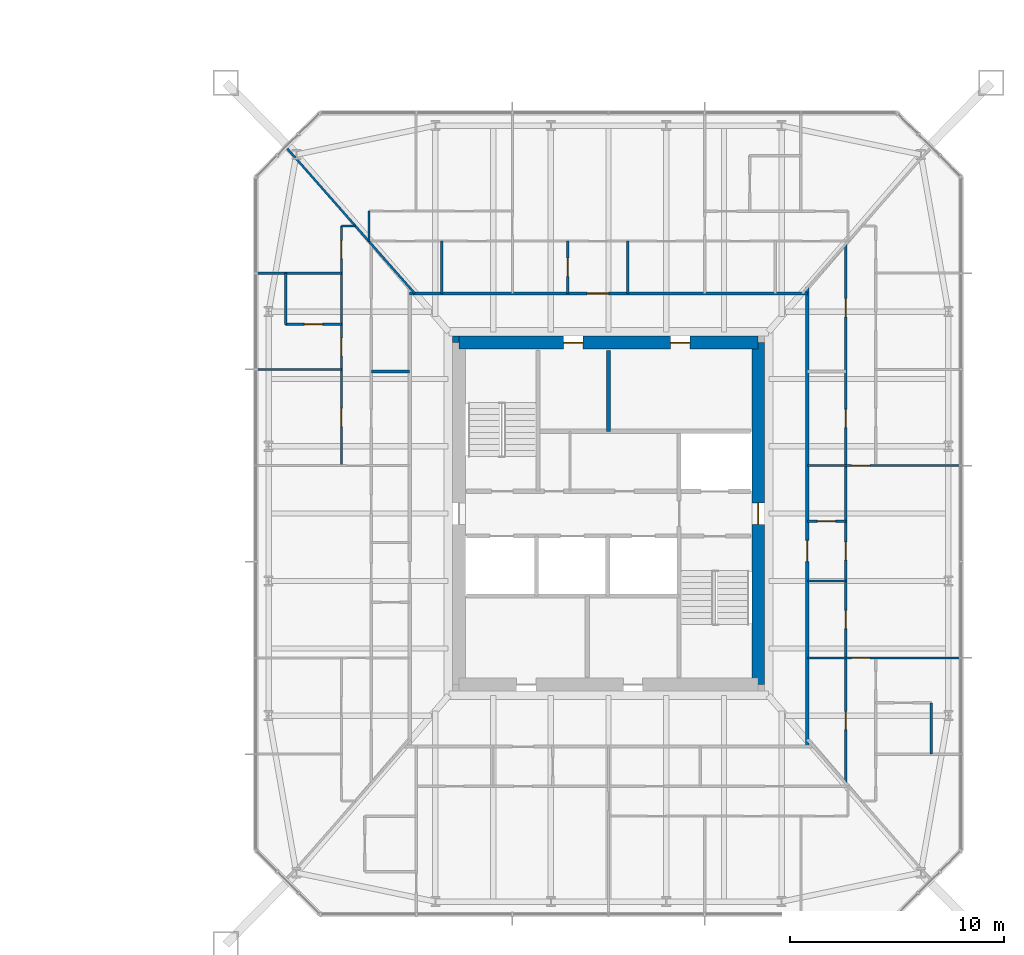
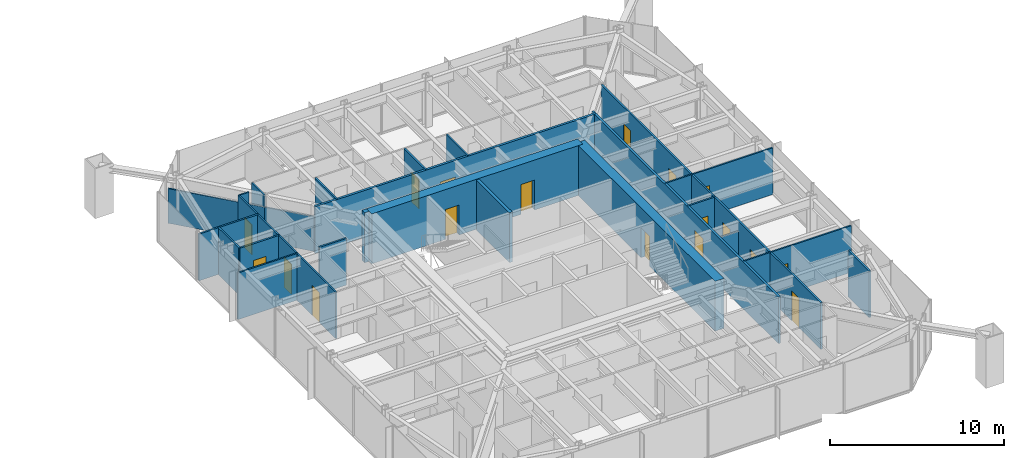
# One storey, part 20 of 26: 25 walls, 18 doors, 18 openings.
"""IFC4 building model written with IfcOpenShell, lengths in metres."""

from ifc_helpers import new_model, si_unit, direction, frame, frame_2d, origin, place, context, subcontext, project, spatial, rectangle, extrude, material, layer, layer_set, type_object, element, fill, save


model = new_model("IFC4")

# Units and contexts
model_context = context("Model", 3, precision=1e-05, world=origin(), true_north=direction((0.0, 1.0)))
body_context = subcontext(model_context, "Body", "Model", "MODEL_VIEW")
ifc_project = project(units=[si_unit("LENGTHUNIT", "METRE"), si_unit("AREAUNIT", "SQUARE_METRE"), si_unit("VOLUMEUNIT", "CUBIC_METRE"), si_unit("PLANEANGLEUNIT", "RADIAN"), si_unit("MASSUNIT", "GRAM", prefix="KILO")], contexts=[model_context])

# Site, building, storey
site_placement = place(None, origin())
site = spatial("IfcSite", under=ifc_project, at=site_placement, CompositionType="ELEMENT")
building_placement = place(site_placement, origin())
building = spatial("IfcBuilding", under=site, at=building_placement, Name="Iwan Alto Co-Living Towers", CompositionType="ELEMENT")
storey_placement = place(building_placement, frame((0.0, 0.0, 22.0)))
storey = spatial("IfcBuildingStorey", under=building, at=storey_placement, Name="L05", CompositionType="ELEMENT", Elevation=22.0)

# Wall, opening, door
ifc_material_1 = material(Name="Gypsum board")
ifc_layer_1 = layer(ifc_material_1, 0.02490234375, Name="Board", Category="Finish")
ifc_material_2 = material(Name="Steel ASTM A1003 ST33H cold-formed studs", Category="steel")
ifc_layer_2 = layer(ifc_material_2, 0.10009765625, Name="Studs", Category="Framing")
ifc_layer_3 = layer(ifc_material_1, 0.02490234375, Name="Board", Category="Finish")
ifc_layer_set_1 = layer_set([ifc_layer_1, ifc_layer_2, ifc_layer_3], Name="CORRIDOR WALL 150")
wall_type_1 = type_object("IfcWallType", Name="CORRIDOR WALL 150", PredefinedType="PARTITIONING", material=ifc_layer_set_1)
wall_1_placement = place(storey_placement, frame((53.699951171875, 10.300048828125, 0.0), z_axis=(0.0, 0.0, 1.0), x_axis=(1.0, 0.0, 0.0)))
wall_1 = element("IfcWall", 1, at=wall_1_placement, inside=storey, type_object=wall_type_1, Name="Partition L05", PredefinedType="PARTITIONING", context=body_context, shape_type="SweptSolid", body=[
    extrude(rectangle(XDim=18.60009765625, YDim=0.14990234375, at=frame_2d((9.300048828125, 0.0))), origin(), (0.0, 0.0, 1.0), 3.27001953125),
])
opening_1_placement = place(wall_1_placement, frame((8.300048828125, 0.0, 0.0)))
opening_1 = element("IfcOpeningElement", 2, at=opening_1_placement, cuts=wall_1, Name="Opening D3", PredefinedType="OPENING", context=body_context, shape_type="SweptSolid", body=[
    extrude(rectangle(XDim=1.0, YDim=2.10009765625, at=frame_2d((0.5, 1.050048828125))), frame((0.0, 0.0849609375, 0.0), z_axis=(0.0, -1.0, 0.0), x_axis=(1.0, 0.0, 0.0)), (0.0, 0.0, 1.0), 0.169921875),
])
ifc_material_3 = material(Name="Steel frame with timber leaf", Category="steel")
door_type_1 = type_object("IfcDoorType", Name="FLAT ENTRANCE DOOR FD30S 1000X2100", OperationType="SINGLE_SWING_LEFT", PredefinedType="DOOR", material=ifc_material_3)
door_1_placement = place(opening_1_placement, origin())
door_1 = element("IfcDoor", 3, at=door_1_placement, inside=storey, type_object=door_type_1, Name="Apartment foyer door L05", OperationType="SINGLE_SWING_LEFT", OverallHeight=2.10009765625, OverallWidth=1.0, PredefinedType="DOOR", context=body_context, shape_type="SweptSolid", body=[
    extrude(rectangle(XDim=1.0, YDim=2.10009765625, at=frame_2d((0.5, 1.050048828125))), frame((0.0, 0.02490234375, 0.0), z_axis=(0.0, -1.0, 0.0), x_axis=(1.0, 0.0, 0.0)), (0.0, 0.0, 1.0), 0.050048828125),
])
fill(opening_1, door_1)

wall_2_placement = place(storey_placement, frame((72.300048828125, -10.89990234375, 0.0), z_axis=(0.0, 0.0, 1.0), x_axis=(0.0, 1.0, 0.0)))
wall_2 = element("IfcWall", 4, at=wall_2_placement, inside=storey, type_object=wall_type_1, Name="Partition L05", PredefinedType="PARTITIONING", context=body_context, shape_type="SweptSolid", body=[
    extrude(rectangle(XDim=21.468017578125, YDim=0.14990234375, at=frame_2d((10.73388671875, 0.0))), origin(), (0.0, 0.0, 1.0), 3.27001953125),
])
opening_2_placement = place(wall_2_placement, frame((8.64990234375, 0.0, 0.0)))
opening_2 = element("IfcOpeningElement", 5, at=opening_2_placement, cuts=wall_2, Name="Opening D3", PredefinedType="OPENING", context=body_context, shape_type="SweptSolid", body=[
    extrude(rectangle(XDim=1.0, YDim=2.10009765625, at=frame_2d((0.5, 1.050048828125))), frame((0.0, 0.0849609375, 0.0), z_axis=(0.0, -1.0, 0.0), x_axis=(1.0, 0.0, 0.0)), (0.0, 0.0, 1.0), 0.169921875),
])
door_2_placement = place(opening_2_placement, frame((1.0, 0.0, 0.0), z_axis=(0.0, 0.0, 1.0), x_axis=(-1.0, 0.0, 0.0)))
door_2 = element("IfcDoor", 6, at=door_2_placement, inside=storey, type_object=door_type_1, Name="Apartment foyer door L05", OperationType="SINGLE_SWING_RIGHT", OverallHeight=2.10009765625, OverallWidth=1.0, PredefinedType="DOOR", context=body_context, shape_type="SweptSolid", body=[
    extrude(rectangle(XDim=1.0, YDim=2.10009765625, at=frame_2d((0.5, 1.050048828125))), frame((0.0, 0.02490234375, 0.0), z_axis=(0.0, -1.0, 0.0), x_axis=(1.0, 0.0, 0.0)), (0.0, 0.0, 1.0), 0.050048828125),
])
fill(opening_2, door_2)

ifc_layer_4 = layer(ifc_material_1, 0.012451171875, Name="Board", Category="Finish")
ifc_layer_5 = layer(ifc_material_2, 0.074951171875, Name="Studs", Category="Framing")
ifc_layer_6 = layer(ifc_material_1, 0.012451171875, Name="Board", Category="Finish")
ifc_layer_set_2 = layer_set([ifc_layer_4, ifc_layer_5, ifc_layer_6], Name="PARTITION 100")
wall_type_2 = type_object("IfcWallType", Name="PARTITION 100", PredefinedType="PARTITIONING", material=ifc_layer_set_2)
wall_3_placement = place(storey_placement, frame((72.300048828125, -6.75, 0.0), z_axis=(0.0, 0.0, 1.0), x_axis=(1.0, 0.0, 0.0)))
wall_3 = element("IfcWall", 7, at=wall_3_placement, inside=storey, type_object=wall_type_2, Name="Partition L05", PredefinedType="PARTITIONING", context=body_context, shape_type="SweptSolid", body=[
    extrude(rectangle(XDim=7.139892578125, YDim=0.10009765625, at=frame_2d((3.56982421875, 0.0))), origin(), (0.0, 0.0, 1.0), 3.27001953125),
])
opening_3_placement = place(wall_3_placement, frame((2.074951171875, 0.0, 0.0)))
opening_3 = element("IfcOpeningElement", 8, at=opening_3_placement, cuts=wall_3, Name="Opening D2", PredefinedType="OPENING", context=body_context, shape_type="SweptSolid", body=[
    extrude(rectangle(XDim=0.85009765625, YDim=2.10009765625, at=frame_2d((0.425048828125, 1.050048828125))), frame((0.0, 0.06005859375, 0.0), z_axis=(0.0, -1.0, 0.0), x_axis=(1.0, 0.0, 0.0)), (0.0, 0.0, 1.0), 0.1201171875),
])
ifc_material_4 = material(Name="Timber leaf in steel frame", Category="steel")
door_type_2 = type_object("IfcDoorType", Name="ROOM DOOR 850X2100", OperationType="SINGLE_SWING_LEFT", PredefinedType="DOOR", material=ifc_material_4)
door_3_placement = place(opening_3_placement, origin())
door_3 = element("IfcDoor", 9, at=door_3_placement, inside=storey, type_object=door_type_2, Name="Apartment hall door L05", OperationType="SINGLE_SWING_LEFT", OverallHeight=2.10009765625, OverallWidth=0.85009765625, PredefinedType="DOOR", context=body_context, shape_type="SweptSolid", body=[
    extrude(rectangle(XDim=0.85009765625, YDim=2.10009765625, at=frame_2d((0.425048828125, 1.050048828125))), frame((0.0, 0.02490234375, 0.0), z_axis=(0.0, -1.0, 0.0), x_axis=(1.0, 0.0, 0.0)), (0.0, 0.0, 1.0), 0.050048828125),
])
fill(opening_3, door_3)

# Wall
wall_4_placement = place(storey_placement, frame((72.300048828125, -3.14990234375, 0.0), z_axis=(0.0, 0.0, 1.0), x_axis=(1.0, 0.0, 0.0)))
element("IfcWall", 10, at=wall_4_placement, inside=storey, type_object=wall_type_2, Name="Partition L05", PredefinedType="PARTITIONING", context=body_context, shape_type="SweptSolid", body=[
    extrude(rectangle(XDim=1.800048828125, YDim=0.10009765625, at=frame_2d((0.89990234375, 0.0))), origin(), (0.0, 0.0, 1.0), 2.586669921875),
])

# Wall, opening, door
wall_5_placement = place(storey_placement, frame((72.300048828125, 2.25, 0.0), z_axis=(0.0, 0.0, 1.0), x_axis=(1.0, 0.0, 0.0)))
wall_5 = element("IfcWall", 11, at=wall_5_placement, inside=storey, type_object=wall_type_2, Name="Partition L05", PredefinedType="PARTITIONING", context=body_context, shape_type="SweptSolid", body=[
    extrude(rectangle(XDim=7.139892578125, YDim=0.10009765625, at=frame_2d((3.56982421875, 0.0))), origin(), (0.0, 0.0, 1.0), 3.27001953125),
])
opening_4_placement = place(wall_5_placement, frame((2.074951171875, 0.0, 0.0)))
opening_4 = element("IfcOpeningElement", 12, at=opening_4_placement, cuts=wall_5, Name="Opening D2", PredefinedType="OPENING", context=body_context, shape_type="SweptSolid", body=[
    extrude(rectangle(XDim=0.85009765625, YDim=2.10009765625, at=frame_2d((0.425048828125, 1.050048828125))), frame((0.0, 0.06005859375, 0.0), z_axis=(0.0, -1.0, 0.0), x_axis=(1.0, 0.0, 0.0)), (0.0, 0.0, 1.0), 0.1201171875),
])
door_4_placement = place(opening_4_placement, frame((0.85009765625, 0.0, 0.0), z_axis=(0.0, 0.0, 1.0), x_axis=(-1.0, 0.0, 0.0)))
door_4 = element("IfcDoor", 13, at=door_4_placement, inside=storey, type_object=door_type_2, Name="Apartment hall door L05", OperationType="SINGLE_SWING_RIGHT", OverallHeight=2.10009765625, OverallWidth=0.85009765625, PredefinedType="DOOR", context=body_context, shape_type="SweptSolid", body=[
    extrude(rectangle(XDim=0.85009765625, YDim=2.10009765625, at=frame_2d((0.425048828125, 1.050048828125))), frame((0.0, 0.02490234375, 0.0), z_axis=(0.0, -1.0, 0.0), x_axis=(1.0, 0.0, 0.0)), (0.0, 0.0, 1.0), 0.050048828125),
])
fill(opening_4, door_4)

# Walls
wall_6_placement = place(storey_placement, frame((46.56005859375, 6.75, 0.0), z_axis=(0.0, 0.0, 1.0), x_axis=(1.0, 0.0, 0.0)))
element("IfcWall", 14, at=wall_6_placement, inside=storey, type_object=wall_type_2, Name="Partition L05", PredefinedType="PARTITIONING", context=body_context, shape_type="SweptSolid", body=[
    extrude(rectangle(XDim=3.93994140625, YDim=0.10009765625, at=frame_2d((1.969970703125, 0.0))), origin(), (0.0, 0.0, 1.0), 3.27001953125),
])
wall_7_placement = place(storey_placement, frame((50.5, 13.449951171875, 0.0), z_axis=(0.0, 0.0, 1.0), x_axis=(1.0, 0.0, 0.0)))
element("IfcWall", 15, at=wall_7_placement, inside=storey, type_object=wall_type_2, Name="Partition L05", PredefinedType="PARTITIONING", context=body_context, shape_type="SweptSolid", body=[
    extrude(rectangle(XDim=0.6640625, YDim=0.10009765625, at=frame_2d((0.33203125, 0.0))), origin(), (0.0, 0.0, 1.0), 3.27001953125),
])
wall_8_placement = place(storey_placement, frame((63.89990234375, 10.300048828125, 0.0), z_axis=(0.0, 0.0, 1.0), x_axis=(0.0, 1.0, 0.0)))
element("IfcWall", 16, at=wall_8_placement, inside=storey, type_object=wall_type_2, Name="Partition L05", PredefinedType="PARTITIONING", context=body_context, shape_type="SweptSolid", body=[
    extrude(rectangle(XDim=2.449951171875, YDim=0.10009765625, at=frame_2d((1.22509765625, 0.0))), origin(), (0.0, 0.0, 1.0), 3.27001953125),
])
wall_9_placement = place(storey_placement, frame((51.800048828125, 12.72705078125, 0.0), z_axis=(0.0, 0.0, 1.0), x_axis=(0.0, 1.0, 0.0)))
element("IfcWall", 17, at=wall_9_placement, inside=storey, type_object=wall_type_2, Name="Partition L05", PredefinedType="PARTITIONING", context=body_context, shape_type="SweptSolid", body=[
    extrude(rectangle(XDim=1.4228515625, YDim=0.10009765625, at=frame_2d((0.71142578125, 0.0))), origin(), (0.0, 0.0, 1.0), 3.27001953125),
])

# Wall, openings, doors
wall_10_placement = place(storey_placement, frame((50.5, 2.25, 0.0), z_axis=(0.0, 0.0, 1.0), x_axis=(0.0, 1.0, 0.0)))
wall_10 = element("IfcWall", 18, at=wall_10_placement, inside=storey, type_object=wall_type_2, Name="Partition L05", PredefinedType="PARTITIONING", context=body_context, shape_type="SweptSolid", body=[
    extrude(rectangle(XDim=11.199951171875, YDim=0.10009765625, at=frame_2d((5.60009765625, 0.0))), origin(), (0.0, 0.0, 1.0), 3.27001953125),
])
opening_5_placement = place(wall_10_placement, frame((1.824951171875, 0.0, 0.0)))
opening_5 = element("IfcOpeningElement", 19, at=opening_5_placement, cuts=wall_10, Name="Opening D2", PredefinedType="OPENING", context=body_context, shape_type="SweptSolid", body=[
    extrude(rectangle(XDim=0.85009765625, YDim=2.10009765625, at=frame_2d((0.425048828125, 1.050048828125))), frame((0.0, 0.06005859375, 0.0), z_axis=(0.0, -1.0, 0.0), x_axis=(1.0, 0.0, 0.0)), (0.0, 0.0, 1.0), 0.1201171875),
])
opening_6_placement = place(wall_10_placement, frame((5.125, 0.0, 0.0)))
opening_6 = element("IfcOpeningElement", 20, at=opening_6_placement, cuts=wall_10, Name="Opening D2", PredefinedType="OPENING", context=body_context, shape_type="SweptSolid", body=[
    extrude(rectangle(XDim=0.85009765625, YDim=2.10009765625, at=frame_2d((0.425048828125, 1.050048828125))), frame((0.0, 0.06005859375, 0.0), z_axis=(0.0, -1.0, 0.0), x_axis=(1.0, 0.0, 0.0)), (0.0, 0.0, 1.0), 0.1201171875),
])
opening_7_placement = place(wall_10_placement, frame((9.675048828125, 0.0, 0.0)))
opening_7 = element("IfcOpeningElement", 21, at=opening_7_placement, cuts=wall_10, Name="Opening D2", PredefinedType="OPENING", context=body_context, shape_type="SweptSolid", body=[
    extrude(rectangle(XDim=0.85009765625, YDim=2.10009765625, at=frame_2d((0.425048828125, 1.050048828125))), frame((0.0, 0.06005859375, 0.0), z_axis=(0.0, -1.0, 0.0), x_axis=(1.0, 0.0, 0.0)), (0.0, 0.0, 1.0), 0.1201171875),
])
door_5_placement = place(opening_5_placement, origin())
door_5 = element("IfcDoor", 22, at=door_5_placement, inside=storey, type_object=door_type_2, Name="Study door L05", OperationType="SINGLE_SWING_LEFT", OverallHeight=2.10009765625, OverallWidth=0.85009765625, PredefinedType="DOOR", context=body_context, shape_type="SweptSolid", body=[
    extrude(rectangle(XDim=0.85009765625, YDim=2.10009765625, at=frame_2d((0.425048828125, 1.050048828125))), frame((0.0, 0.02490234375, 0.0), z_axis=(0.0, -1.0, 0.0), x_axis=(1.0, 0.0, 0.0)), (0.0, 0.0, 1.0), 0.050048828125),
])
fill(opening_5, door_5)
door_6_placement = place(opening_6_placement, origin())
door_6 = element("IfcDoor", 23, at=door_6_placement, inside=storey, type_object=door_type_2, Name="Bedroom door L05", OperationType="SINGLE_SWING_LEFT", OverallHeight=2.10009765625, OverallWidth=0.85009765625, PredefinedType="DOOR", context=body_context, shape_type="SweptSolid", body=[
    extrude(rectangle(XDim=0.85009765625, YDim=2.10009765625, at=frame_2d((0.425048828125, 1.050048828125))), frame((0.0, 0.02490234375, 0.0), z_axis=(0.0, -1.0, 0.0), x_axis=(1.0, 0.0, 0.0)), (0.0, 0.0, 1.0), 0.050048828125),
])
fill(opening_6, door_6)
door_7_placement = place(opening_7_placement, origin())
door_7 = element("IfcDoor", 24, at=door_7_placement, inside=storey, type_object=door_type_2, Name="Bedroom door L05", OperationType="SINGLE_SWING_LEFT", OverallHeight=2.10009765625, OverallWidth=0.85009765625, PredefinedType="DOOR", context=body_context, shape_type="SweptSolid", body=[
    extrude(rectangle(XDim=0.85009765625, YDim=2.10009765625, at=frame_2d((0.425048828125, 1.050048828125))), frame((0.0, 0.02490234375, 0.0), z_axis=(0.0, -1.0, 0.0), x_axis=(1.0, 0.0, 0.0)), (0.0, 0.0, 1.0), 0.050048828125),
])
fill(opening_7, door_7)

# Walls
wall_11_placement = place(storey_placement, frame((53.93603515625, 10.300048828125, 0.0), z_axis=(0.0, 0.0, 1.0), x_axis=(-0.660667046586, 0.75067906162, 0.0)))
element("IfcWall", 25, at=wall_11_placement, inside=storey, type_object=wall_type_2, Name="Partition L05", PredefinedType="PARTITIONING", context=body_context, shape_type="SweptSolid", body=[
    extrude(rectangle(XDim=3.233154296875, YDim=0.10009765625, at=frame_2d((1.61669921875, 0.0))), origin(), (0.0, 0.0, 1.0), 2.42919921875),
])
wall_12_placement = place(storey_placement, frame((51.800048828125, 12.72705078125, 0.0), z_axis=(0.0, 0.0, 1.0), x_axis=(-0.660690123093, 0.750658751529, 0.0)))
element("IfcWall", 26, at=wall_12_placement, inside=storey, type_object=wall_type_2, Name="Partition L05", PredefinedType="PARTITIONING", context=body_context, shape_type="SweptSolid", body=[
    extrude(rectangle(XDim=5.8369140625, YDim=0.10009765625, at=frame_2d((2.91845703125, 0.0))), origin(), (0.0, 0.0, 1.0), 2.42919921875),
])
ifc_material_5 = material(Name="Concrete f'c 70 MPa", Category="concrete")
ifc_layer_7 = layer(ifc_material_5, 0.199951171875)
ifc_layer_set_3 = layer_set([ifc_layer_7], Name="SHAFT WALL 200")
wall_type_3 = type_object("IfcWallType", Name="SHAFT WALL 200", PredefinedType="SOLIDWALL", material=ifc_layer_set_3)
wall_13_placement = place(storey_placement, frame((63.0, 3.85009765625, 0.0), z_axis=(0.0, 0.0, 1.0), x_axis=(0.0, 1.0, 0.0)))
element("IfcWall", 27, at=wall_13_placement, inside=storey, type_object=wall_type_3, Name="Shaft wall L05", PredefinedType="SOLIDWALL", context=body_context, shape_type="SweptSolid", body=[
    extrude(rectangle(XDim=3.789794921875, YDim=0.199951171875, at=frame_2d((1.89501953125, 0.0))), origin(), (0.0, 0.0, 1.0), 3.5),
])
ifc_material_6 = material(Name="Concrete f'c 70 MPa", Category="concrete")
ifc_layer_8 = layer(ifc_material_6, 0.300048828125)
ifc_layer_set_4 = layer_set([ifc_layer_8], Name="T2 CORE CORNER FILL 300")
wall_type_4 = type_object("IfcWallType", Name="T2 CORE CORNER FILL 300", PredefinedType="SOLIDWALL", material=ifc_layer_set_4)
wall_14_placement = place(storey_placement, frame((55.699951171875, 8.14990234375, 0.0), z_axis=(0.0, 0.0, 1.0), x_axis=(1.0, 0.0, 0.0)))
element("IfcWall", 28, at=wall_14_placement, inside=storey, type_object=wall_type_4, Name="T2 core corner NW L05", PredefinedType="SOLIDWALL", context=body_context, shape_type="SweptSolid", body=[
    extrude(rectangle(XDim=0.300048828125, YDim=0.300048828125, at=frame_2d((0.14990234375, 0.0))), origin(), (0.0, 0.0, 1.0), 3.5),
])

# Wall, openings, doors
ifc_material_7 = material(Name="Concrete f'c 70 MPa", Category="concrete")
ifc_layer_9 = layer(ifc_material_7, 0.60009765625)
ifc_layer_set_5 = layer_set([ifc_layer_9], Name="T2 CORE WALL 600")
wall_type_5 = type_object("IfcWallType", Name="T2 CORE WALL 600", PredefinedType="SHEAR", material=ifc_layer_set_5)
wall_15_placement = place(storey_placement, frame((70.0, 8.0, 0.0), z_axis=(0.0, 0.0, 1.0), x_axis=(-1.0, 0.0, 0.0)))
wall_15 = element("IfcWall", 29, at=wall_15_placement, inside=storey, type_object=wall_type_5, Name="T2 core wall N L05", PredefinedType="SHEAR", context=body_context, shape_type="SweptSolid", body=[
    extrude(rectangle(XDim=14.0, YDim=0.60009765625, at=frame_2d((7.0, 0.0))), origin(), (0.0, 0.0, 1.0), 3.5),
])
opening_8_placement = place(wall_15_placement, frame((8.199951171875, 0.0, 0.0)))
opening_8 = element("IfcOpeningElement", 30, at=opening_8_placement, cuts=wall_15, Name="Opening D8", PredefinedType="OPENING", context=body_context, shape_type="SweptSolid", body=[
    extrude(rectangle(XDim=0.89990234375, YDim=2.10009765625, at=frame_2d((0.449951171875, 1.050048828125))), frame((0.0, 0.31005859375, 0.0), z_axis=(0.0, -1.0, 0.0), x_axis=(1.0, 0.0, 0.0)), (0.0, 0.0, 1.0), 0.6201171875),
])
opening_9_placement = place(wall_15_placement, frame((3.199951171875, 0.0, 0.0)))
opening_9 = element("IfcOpeningElement", 31, at=opening_9_placement, cuts=wall_15, Name="Opening D8", PredefinedType="OPENING", context=body_context, shape_type="SweptSolid", body=[
    extrude(rectangle(XDim=0.89990234375, YDim=2.10009765625, at=frame_2d((0.449951171875, 1.050048828125))), frame((0.0, 0.31005859375, 0.0), z_axis=(0.0, -1.0, 0.0), x_axis=(1.0, 0.0, 0.0)), (0.0, 0.0, 1.0), 0.6201171875),
])
ifc_material_8 = material(Name="Steel frame with timber leaf", Category="steel")
door_type_3 = type_object("IfcDoorType", Name="RISER DOOR FD120 900X2100", OperationType="SINGLE_SWING_LEFT", PredefinedType="DOOR", material=ifc_material_8)
door_8_placement = place(opening_8_placement, origin())
door_8 = element("IfcDoor", 32, at=door_8_placement, inside=storey, type_object=door_type_3, Name="Electrical riser core door L05", OperationType="SINGLE_SWING_RIGHT", OverallHeight=2.10009765625, OverallWidth=0.89990234375, PredefinedType="DOOR", context=body_context, shape_type="SweptSolid", body=[
    extrude(rectangle(XDim=0.89990234375, YDim=2.10009765625, at=frame_2d((0.449951171875, 1.050048828125))), frame((0.0, 0.02490234375, 0.0), z_axis=(0.0, -1.0, 0.0), x_axis=(1.0, 0.0, 0.0)), (0.0, 0.0, 1.0), 0.050048828125),
])
fill(opening_8, door_8)
door_9_placement = place(opening_9_placement, origin())
door_9 = element("IfcDoor", 33, at=door_9_placement, inside=storey, type_object=door_type_3, Name="Water and drainage riser core door L05", OperationType="SINGLE_SWING_RIGHT", OverallHeight=2.10009765625, OverallWidth=0.89990234375, PredefinedType="DOOR", context=body_context, shape_type="SweptSolid", body=[
    extrude(rectangle(XDim=0.89990234375, YDim=2.10009765625, at=frame_2d((0.449951171875, 1.050048828125))), frame((0.0, 0.02490234375, 0.0), z_axis=(0.0, -1.0, 0.0), x_axis=(1.0, 0.0, 0.0)), (0.0, 0.0, 1.0), 0.050048828125),
])
fill(opening_9, door_9)

# Wall, opening, door
wall_16_placement = place(storey_placement, frame((70.0, -8.0, 0.0), z_axis=(0.0, 0.0, 1.0), x_axis=(0.0, 1.0, 0.0)))
wall_16 = element("IfcWall", 34, at=wall_16_placement, inside=storey, type_object=wall_type_5, Name="T2 core wall E L05", PredefinedType="SHEAR", context=body_context, shape_type="SweptSolid", body=[
    extrude(rectangle(XDim=16.0, YDim=0.60009765625, at=frame_2d((8.0, 0.0))), origin(), (0.0, 0.0, 1.0), 3.5),
])
opening_10_placement = place(wall_16_placement, frame((7.5, 0.0, 0.0)))
opening_10 = element("IfcOpeningElement", 35, at=opening_10_placement, cuts=wall_16, Name="Opening D7", PredefinedType="OPENING", context=body_context, shape_type="SweptSolid", body=[
    extrude(rectangle(XDim=1.0, YDim=2.10009765625, at=frame_2d((0.5, 1.050048828125))), frame((0.0, 0.31005859375, 0.0), z_axis=(0.0, -1.0, 0.0), x_axis=(1.0, 0.0, 0.0)), (0.0, 0.0, 1.0), 0.6201171875),
])
ifc_material_9 = material(Name="Steel frame with timber leaf", Category="steel")
door_type_4 = type_object("IfcDoorType", Name="CORE DOOR FD120S 1000X2100", OperationType="SINGLE_SWING_LEFT", PredefinedType="DOOR", material=ifc_material_9)
door_10_placement = place(opening_10_placement, origin())
door_10 = element("IfcDoor", 36, at=door_10_placement, inside=storey, type_object=door_type_4, Name="Firefighting lobby core door L05", OperationType="SINGLE_SWING_LEFT", OverallHeight=2.10009765625, OverallWidth=1.0, PredefinedType="DOOR", context=body_context, shape_type="SweptSolid", body=[
    extrude(rectangle(XDim=1.0, YDim=2.10009765625, at=frame_2d((0.5, 1.050048828125))), frame((0.0, 0.02490234375, 0.0), z_axis=(0.0, -1.0, 0.0), x_axis=(1.0, 0.0, 0.0)), (0.0, 0.0, 1.0), 0.050048828125),
])
fill(opening_10, door_10)

ifc_material_10 = material(Name="Cement board")
ifc_layer_10 = layer(ifc_material_10, 0.012451171875, Name="Board", Category="Finish")
ifc_layer_11 = layer(ifc_material_2, 0.094970703125, Name="Studs", Category="Framing")
ifc_layer_12 = layer(ifc_material_10, 0.012451171875, Name="Board", Category="Finish")
ifc_layer_set_6 = layer_set([ifc_layer_10, ifc_layer_11, ifc_layer_12], Name="WET AREA PARTITION 120")
wall_type_6 = type_object("IfcWallType", Name="WET AREA PARTITION 120", PredefinedType="PARTITIONING", material=ifc_layer_set_6)
wall_17_placement = place(storey_placement, frame((72.300048828125, -0.35009765625, 0.0), z_axis=(0.0, 0.0, 1.0), x_axis=(1.0, 0.0, 0.0)))
wall_17 = element("IfcWall", 37, at=wall_17_placement, inside=storey, type_object=wall_type_6, Name="Partition L05", PredefinedType="PARTITIONING", context=body_context, shape_type="SweptSolid", body=[
    extrude(rectangle(XDim=1.800048828125, YDim=0.1201171875, at=frame_2d((0.89990234375, 0.0))), origin(), (0.0, 0.0, 1.0), 3.27001953125),
])
opening_11_placement = place(wall_17_placement, frame((0.47509765625, 0.0, 0.0)))
opening_11 = element("IfcOpeningElement", 38, at=opening_11_placement, cuts=wall_17, Name="Opening D2", PredefinedType="OPENING", context=body_context, shape_type="SweptSolid", body=[
    extrude(rectangle(XDim=0.85009765625, YDim=2.10009765625, at=frame_2d((0.425048828125, 1.050048828125))), frame((0.0, 0.070068359375, 0.0), z_axis=(0.0, -1.0, 0.0), x_axis=(1.0, 0.0, 0.0)), (0.0, 0.0, 1.0), 0.14013671875),
])
door_11_placement = place(opening_11_placement, origin())
door_11 = element("IfcDoor", 39, at=door_11_placement, inside=storey, type_object=door_type_2, Name="Bathroom door L05", OperationType="SINGLE_SWING_LEFT", OverallHeight=2.10009765625, OverallWidth=0.85009765625, PredefinedType="DOOR", context=body_context, shape_type="SweptSolid", body=[
    extrude(rectangle(XDim=0.85009765625, YDim=2.10009765625, at=frame_2d((0.425048828125, 1.050048828125))), frame((0.0, 0.02490234375, 0.0), z_axis=(0.0, -1.0, 0.0), x_axis=(1.0, 0.0, 0.0)), (0.0, 0.0, 1.0), 0.050048828125),
])
fill(opening_11, door_11)

# Wall
wall_18_placement = place(storey_placement, frame((51.89990234375, 6.64990234375, 0.0), z_axis=(0.0, 0.0, 1.0), x_axis=(1.0, 0.0, 0.0)))
element("IfcWall", 40, at=wall_18_placement, inside=storey, type_object=wall_type_6, Name="Partition L05", PredefinedType="PARTITIONING", context=body_context, shape_type="SweptSolid", body=[
    extrude(rectangle(XDim=1.800048828125, YDim=0.1201171875, at=frame_2d((0.89990234375, 0.0))), origin(), (0.0, 0.0, 1.0), 3.27001953125),
])

# Wall, opening, door
wall_19_placement = place(storey_placement, frame((47.89990234375, 8.85009765625, 0.0), z_axis=(0.0, 0.0, 1.0), x_axis=(1.0, 0.0, 0.0)))
wall_19 = element("IfcWall", 41, at=wall_19_placement, inside=storey, type_object=wall_type_6, Name="Partition L05", PredefinedType="PARTITIONING", context=body_context, shape_type="SweptSolid", body=[
    extrude(rectangle(XDim=2.60009765625, YDim=0.1201171875, at=frame_2d((1.300048828125, 0.0))), origin(), (0.0, 0.0, 1.0), 3.27001953125),
])
opening_12_placement = place(wall_19_placement, frame((0.875, 0.0, 0.0)))
opening_12 = element("IfcOpeningElement", 42, at=opening_12_placement, cuts=wall_19, Name="Opening D2", PredefinedType="OPENING", context=body_context, shape_type="SweptSolid", body=[
    extrude(rectangle(XDim=0.85009765625, YDim=2.10009765625, at=frame_2d((0.425048828125, 1.050048828125))), frame((0.0, 0.070068359375, 0.0), z_axis=(0.0, -1.0, 0.0), x_axis=(1.0, 0.0, 0.0)), (0.0, 0.0, 1.0), 0.14013671875),
])
door_12_placement = place(opening_12_placement, frame((0.85009765625, 0.0, 0.0), z_axis=(0.0, 0.0, 1.0), x_axis=(-1.0, 0.0, 0.0)))
door_12 = element("IfcDoor", 43, at=door_12_placement, inside=storey, type_object=door_type_2, Name="En-suite shower room door L05", OperationType="SINGLE_SWING_LEFT", OverallHeight=2.10009765625, OverallWidth=0.85009765625, PredefinedType="DOOR", context=body_context, shape_type="SweptSolid", body=[
    extrude(rectangle(XDim=0.85009765625, YDim=2.10009765625, at=frame_2d((0.425048828125, 1.050048828125))), frame((0.0, 0.02490234375, 0.0), z_axis=(0.0, -1.0, 0.0), x_axis=(1.0, 0.0, 0.0)), (0.0, 0.0, 1.0), 0.050048828125),
])
fill(opening_12, door_12)

# Walls
wall_20_placement = place(storey_placement, frame((46.56005859375, 11.25, 0.0), z_axis=(0.0, 0.0, 1.0), x_axis=(1.0, 0.0, 0.0)))
element("IfcWall", 44, at=wall_20_placement, inside=storey, type_object=wall_type_6, Name="Partition L05", PredefinedType="PARTITIONING", context=body_context, shape_type="SweptSolid", body=[
    extrude(rectangle(XDim=3.93994140625, YDim=0.1201171875, at=frame_2d((1.969970703125, 0.0))), origin(), (0.0, 0.0, 1.0), 3.27001953125),
])
wall_21_placement = place(storey_placement, frame((78.10009765625, -11.25, 0.0), z_axis=(0.0, 0.0, 1.0), x_axis=(0.0, 1.0, 0.0)))
element("IfcWall", 45, at=wall_21_placement, inside=storey, type_object=wall_type_6, Name="Partition L05", PredefinedType="PARTITIONING", context=body_context, shape_type="SweptSolid", body=[
    extrude(rectangle(XDim=2.39990234375, YDim=0.1201171875, at=frame_2d((1.199951171875, 0.0))), origin(), (0.0, 0.0, 1.0), 3.27001953125),
])

# Wall, openings, doors
wall_22_placement = place(storey_placement, frame((74.10009765625, -12.614013671875, 0.0), z_axis=(0.0, 0.0, 1.0), x_axis=(0.0, 1.0, 0.0)))
wall_22 = element("IfcWall", 46, at=wall_22_placement, inside=storey, type_object=wall_type_6, Name="Partition L05", PredefinedType="PARTITIONING", context=body_context, shape_type="SweptSolid", body=[
    extrude(rectangle(XDim=25.22802734375, YDim=0.1201171875, at=frame_2d((12.614013671875, 0.0))), origin(), (0.0, 0.0, 1.0), 3.27001953125),
])
opening_13_placement = place(wall_22_placement, frame((7.239013671875, 0.0, 0.0)))
opening_13 = element("IfcOpeningElement", 47, at=opening_13_placement, cuts=wall_22, Name="Opening D2", PredefinedType="OPENING", context=body_context, shape_type="SweptSolid", body=[
    extrude(rectangle(XDim=0.85009765625, YDim=2.10009765625, at=frame_2d((0.425048828125, 1.050048828125))), frame((0.0, 0.070068359375, 0.0), z_axis=(0.0, -1.0, 0.0), x_axis=(1.0, 0.0, 0.0)), (0.0, 0.0, 1.0), 0.14013671875),
])
opening_14_placement = place(wall_22_placement, frame((10.43896484375, 0.0, 0.0)))
opening_14 = element("IfcOpeningElement", 48, at=opening_14_placement, cuts=wall_22, Name="Opening D2", PredefinedType="OPENING", context=body_context, shape_type="SweptSolid", body=[
    extrude(rectangle(XDim=0.85009765625, YDim=2.10009765625, at=frame_2d((0.425048828125, 1.050048828125))), frame((0.0, 0.070068359375, 0.0), z_axis=(0.0, -1.0, 0.0), x_axis=(1.0, 0.0, 0.0)), (0.0, 0.0, 1.0), 0.14013671875),
])
opening_15_placement = place(wall_22_placement, frame((2.507080078125, 0.0, 0.0)))
opening_15 = element("IfcOpeningElement", 49, at=opening_15_placement, cuts=wall_22, Name="Opening D2", PredefinedType="OPENING", context=body_context, shape_type="SweptSolid", body=[
    extrude(rectangle(XDim=0.85009765625, YDim=2.10009765625, at=frame_2d((0.425048828125, 1.050048828125))), frame((0.0, 0.070068359375, 0.0), z_axis=(0.0, -1.0, 0.0), x_axis=(1.0, 0.0, 0.0)), (0.0, 0.0, 1.0), 0.14013671875),
])
opening_16_placement = place(wall_22_placement, frame((16.638916015625, 0.0, 0.0)))
opening_16 = element("IfcOpeningElement", 50, at=opening_16_placement, cuts=wall_22, Name="Opening D2", PredefinedType="OPENING", context=body_context, shape_type="SweptSolid", body=[
    extrude(rectangle(XDim=0.85009765625, YDim=2.10009765625, at=frame_2d((0.425048828125, 1.050048828125))), frame((0.0, 0.070068359375, 0.0), z_axis=(0.0, -1.0, 0.0), x_axis=(1.0, 0.0, 0.0)), (0.0, 0.0, 1.0), 0.14013671875),
])
opening_17_placement = place(wall_22_placement, frame((21.821044921875, 0.0, 0.0)))
opening_17 = element("IfcOpeningElement", 51, at=opening_17_placement, cuts=wall_22, Name="Opening D2", PredefinedType="OPENING", context=body_context, shape_type="SweptSolid", body=[
    extrude(rectangle(XDim=0.85009765625, YDim=2.10009765625, at=frame_2d((0.425048828125, 1.050048828125))), frame((0.0, 0.070068359375, 0.0), z_axis=(0.0, -1.0, 0.0), x_axis=(1.0, 0.0, 0.0)), (0.0, 0.0, 1.0), 0.14013671875),
])
door_13_placement = place(opening_13_placement, frame((0.85009765625, 0.0, 0.0), z_axis=(0.0, 0.0, 1.0), x_axis=(-1.0, 0.0, 0.0)))
door_13 = element("IfcDoor", 52, at=door_13_placement, inside=storey, type_object=door_type_2, Name="Kitchen door L05", OperationType="SINGLE_SWING_RIGHT", OverallHeight=2.10009765625, OverallWidth=0.85009765625, PredefinedType="DOOR", context=body_context, shape_type="SweptSolid", body=[
    extrude(rectangle(XDim=0.85009765625, YDim=2.10009765625, at=frame_2d((0.425048828125, 1.050048828125))), frame((0.0, 0.02490234375, 0.0), z_axis=(0.0, -1.0, 0.0), x_axis=(1.0, 0.0, 0.0)), (0.0, 0.0, 1.0), 0.050048828125),
])
fill(opening_13, door_13)
door_14_placement = place(opening_14_placement, frame((0.85009765625, 0.0, 0.0), z_axis=(0.0, 0.0, 1.0), x_axis=(-1.0, 0.0, 0.0)))
door_14 = element("IfcDoor", 53, at=door_14_placement, inside=storey, type_object=door_type_2, Name="Apartment foyer door L05", OperationType="SINGLE_SWING_LEFT", OverallHeight=2.10009765625, OverallWidth=0.85009765625, PredefinedType="DOOR", context=body_context, shape_type="SweptSolid", body=[
    extrude(rectangle(XDim=0.85009765625, YDim=2.10009765625, at=frame_2d((0.425048828125, 1.050048828125))), frame((0.0, 0.02490234375, 0.0), z_axis=(0.0, -1.0, 0.0), x_axis=(1.0, 0.0, 0.0)), (0.0, 0.0, 1.0), 0.050048828125),
])
fill(opening_14, door_14)
door_15_placement = place(opening_15_placement, origin())
door_15 = element("IfcDoor", 54, at=door_15_placement, inside=storey, type_object=door_type_2, Name="Utility room door L05", OperationType="SINGLE_SWING_LEFT", OverallHeight=2.10009765625, OverallWidth=0.85009765625, PredefinedType="DOOR", context=body_context, shape_type="SweptSolid", body=[
    extrude(rectangle(XDim=0.85009765625, YDim=2.10009765625, at=frame_2d((0.425048828125, 1.050048828125))), frame((0.0, 0.02490234375, 0.0), z_axis=(0.0, -1.0, 0.0), x_axis=(1.0, 0.0, 0.0)), (0.0, 0.0, 1.0), 0.050048828125),
])
fill(opening_15, door_15)
door_16_placement = place(opening_16_placement, origin())
door_16 = element("IfcDoor", 55, at=door_16_placement, inside=storey, type_object=door_type_2, Name="Utility room door L05", OperationType="SINGLE_SWING_LEFT", OverallHeight=2.10009765625, OverallWidth=0.85009765625, PredefinedType="DOOR", context=body_context, shape_type="SweptSolid", body=[
    extrude(rectangle(XDim=0.85009765625, YDim=2.10009765625, at=frame_2d((0.425048828125, 1.050048828125))), frame((0.0, 0.02490234375, 0.0), z_axis=(0.0, -1.0, 0.0), x_axis=(1.0, 0.0, 0.0)), (0.0, 0.0, 1.0), 0.050048828125),
])
fill(opening_16, door_16)
door_17_placement = place(opening_17_placement, origin())
door_17 = element("IfcDoor", 56, at=door_17_placement, inside=storey, type_object=door_type_2, Name="Store room door L05", OperationType="SINGLE_SWING_RIGHT", OverallHeight=2.10009765625, OverallWidth=0.85009765625, PredefinedType="DOOR", context=body_context, shape_type="SweptSolid", body=[
    extrude(rectangle(XDim=0.85009765625, YDim=2.10009765625, at=frame_2d((0.425048828125, 1.050048828125))), frame((0.0, 0.02490234375, 0.0), z_axis=(0.0, -1.0, 0.0), x_axis=(1.0, 0.0, 0.0)), (0.0, 0.0, 1.0), 0.050048828125),
])
fill(opening_17, door_17)

# Wall, opening, door
wall_23_placement = place(storey_placement, frame((61.10009765625, 10.300048828125, 0.0), z_axis=(0.0, 0.0, 1.0), x_axis=(0.0, 1.0, 0.0)))
wall_23 = element("IfcWall", 57, at=wall_23_placement, inside=storey, type_object=wall_type_6, Name="Partition L05", PredefinedType="PARTITIONING", context=body_context, shape_type="SweptSolid", body=[
    extrude(rectangle(XDim=2.449951171875, YDim=0.1201171875, at=frame_2d((1.22509765625, 0.0))), origin(), (0.0, 0.0, 1.0), 3.27001953125),
])
opening_18_placement = place(wall_23_placement, frame((0.800048828125, 0.0, 0.0)))
opening_18 = element("IfcOpeningElement", 58, at=opening_18_placement, cuts=wall_23, Name="Opening D2", PredefinedType="OPENING", context=body_context, shape_type="SweptSolid", body=[
    extrude(rectangle(XDim=0.85009765625, YDim=2.10009765625, at=frame_2d((0.425048828125, 1.050048828125))), frame((0.0, 0.070068359375, 0.0), z_axis=(0.0, -1.0, 0.0), x_axis=(1.0, 0.0, 0.0)), (0.0, 0.0, 1.0), 0.14013671875),
])
door_18_placement = place(opening_18_placement, origin())
door_18 = element("IfcDoor", 59, at=door_18_placement, inside=storey, type_object=door_type_2, Name="Bathroom door L05", OperationType="SINGLE_SWING_LEFT", OverallHeight=2.10009765625, OverallWidth=0.85009765625, PredefinedType="DOOR", context=body_context, shape_type="SweptSolid", body=[
    extrude(rectangle(XDim=0.85009765625, YDim=2.10009765625, at=frame_2d((0.425048828125, 1.050048828125))), frame((0.0, 0.02490234375, 0.0), z_axis=(0.0, -1.0, 0.0), x_axis=(1.0, 0.0, 0.0)), (0.0, 0.0, 1.0), 0.050048828125),
])
fill(opening_18, door_18)

# Walls
wall_24_placement = place(storey_placement, frame((55.199951171875, 10.300048828125, 0.0), z_axis=(0.0, 0.0, 1.0), x_axis=(0.0, 1.0, 0.0)))
element("IfcWall", 60, at=wall_24_placement, inside=storey, type_object=wall_type_6, Name="Partition L05", PredefinedType="PARTITIONING", context=body_context, shape_type="SweptSolid", body=[
    extrude(rectangle(XDim=2.449951171875, YDim=0.1201171875, at=frame_2d((1.22509765625, 0.0))), origin(), (0.0, 0.0, 1.0), 3.27001953125),
])
wall_25_placement = place(storey_placement, frame((47.89990234375, 8.85009765625, 0.0), z_axis=(0.0, 0.0, 1.0), x_axis=(0.0, 1.0, 0.0)))
element("IfcWall", 61, at=wall_25_placement, inside=storey, type_object=wall_type_6, Name="Partition L05", PredefinedType="PARTITIONING", context=body_context, shape_type="SweptSolid", body=[
    extrude(rectangle(XDim=2.39990234375, YDim=0.1201171875, at=frame_2d((1.199951171875, 0.0))), origin(), (0.0, 0.0, 1.0), 3.27001953125),
])

save(model, "model.ifc")
